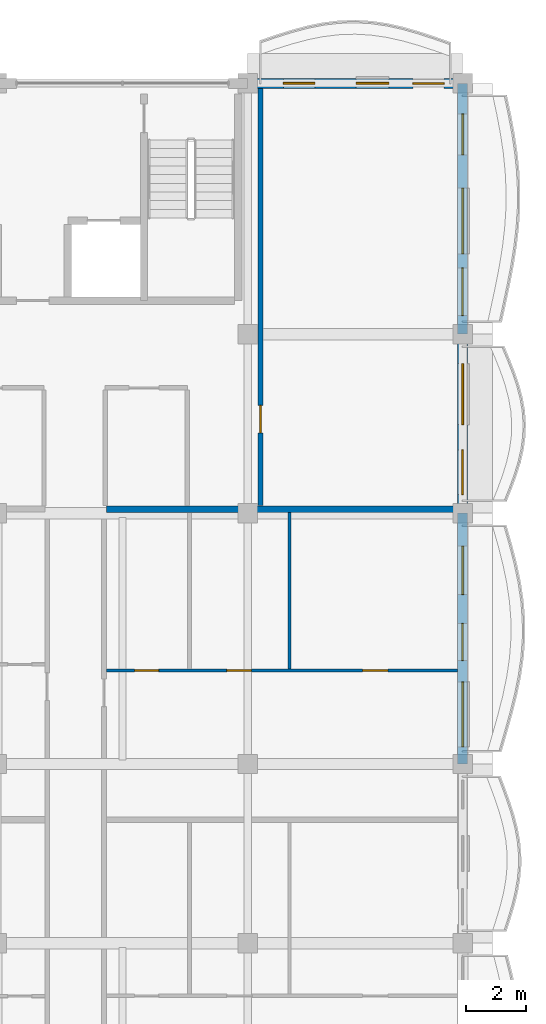
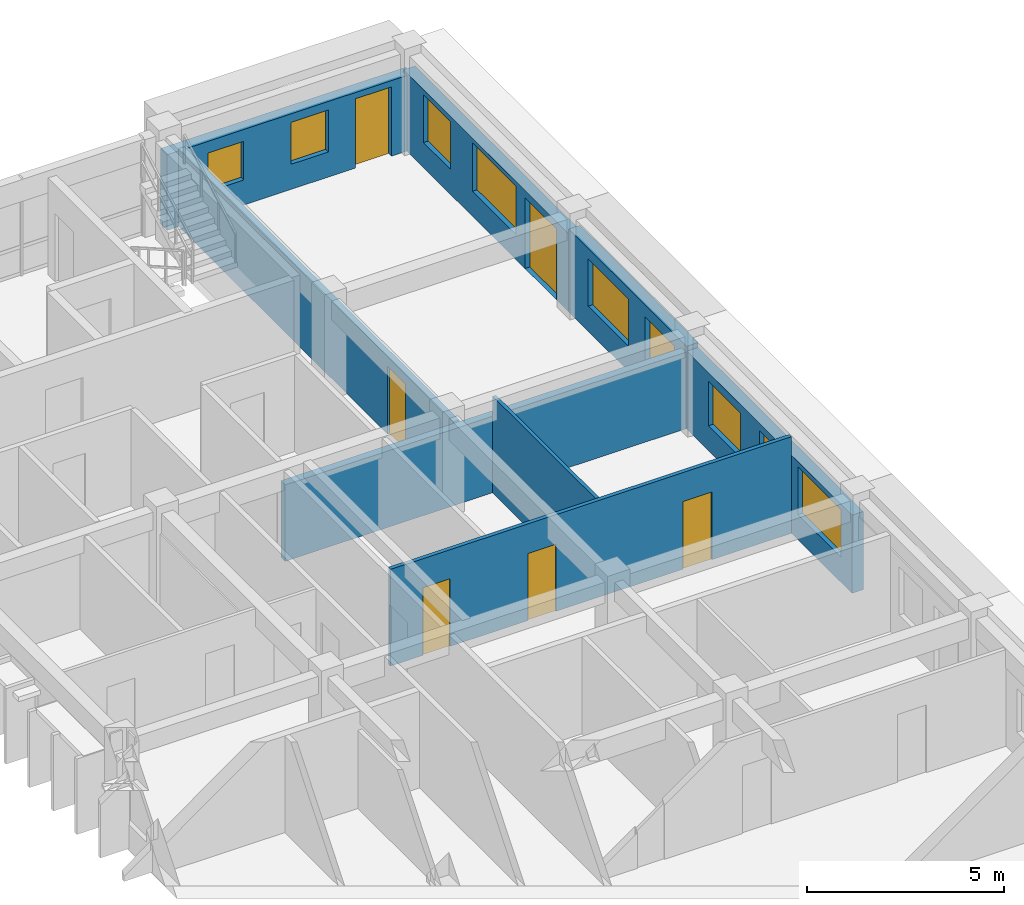
# One storey, part 39 of 70: 8 doors, 8 walls, 7 windows, 15 openings.
"""IFC4 building model written with IfcOpenShell, lengths in metres."""

from ifc_helpers import new_model, si_unit, direction, frame, frame_2d, origin, place, context, subcontext, project, spatial, rectangle, extrude, material, layer, layer_set, type_object, element, fill, save


model = new_model("IFC4")

# Units and contexts
model_context = context("Model", 3, precision=1e-05, world=origin(), true_north=direction((0.0, 1.0)))
body_context = subcontext(model_context, "Body", "Model", "MODEL_VIEW")
ifc_project = project(units=[si_unit("LENGTHUNIT", "METRE"), si_unit("AREAUNIT", "SQUARE_METRE"), si_unit("VOLUMEUNIT", "CUBIC_METRE"), si_unit("PLANEANGLEUNIT", "RADIAN"), si_unit("MASSUNIT", "GRAM", prefix="KILO"), si_unit("THERMODYNAMICTEMPERATUREUNIT", "KELVIN")], contexts=[model_context])

# Site, building, storey
site_placement = place(None, origin())
site = spatial("IfcSite", under=ifc_project, at=site_placement, CompositionType="ELEMENT")
building_placement = place(site_placement, origin())
building = spatial("IfcBuilding", under=site, at=building_placement, Name="Thalorik Housing Commons", CompositionType="ELEMENT")
storey_placement = place(building_placement, frame((0.0, 0.0, 14.699951171875)))
storey = spatial("IfcBuildingStorey", under=building, at=storey_placement, Name="L04", CompositionType="ELEMENT", Elevation=14.699951171875)

# Wall, opening, door
ifc_material_1 = material(Name="Masonry fire-rated corridor wall", Category="masonry")
ifc_layer_1 = layer(ifc_material_1, 0.1650390625, Name="Masonry fire-rated corridor wall", Category="masonry")
ifc_layer_set_1 = layer_set([ifc_layer_1], Name="Masonry fire-rated corridor wall")
wall_type_1 = type_object("IfcWallType", Name="ARC-WAL-CORR-165", PredefinedType="PARTITIONING", material=ifc_layer_set_1)
wall_1_placement = place(storey_placement, frame((167.219970703125, 109.451904296875, 0.0), z_axis=(0.0, 0.0, 1.0), x_axis=(0.0, 1.0, 0.0)))
wall_1 = element("IfcWall", 1, at=wall_1_placement, inside=storey, type_object=wall_type_1, Name="L04 Block B East Studio Wall", PredefinedType="PARTITIONING", context=body_context, shape_type="SweptSolid", body=[
    extrude(rectangle(XDim=13.978515625, YDim=0.1650390625, at=frame_2d((6.9892578125, 0.0))), origin(), (0.0, 0.0, 1.0), 2.425048828125),
])
opening_1_placement = place(wall_1_placement, frame((2.43798828125, 0.0, 0.0)))
opening_1 = element("IfcOpeningElement", 2, at=opening_1_placement, cuts=wall_1, Name="Opening ID-1147", PredefinedType="OPENING", context=body_context, shape_type="SweptSolid", body=[
    extrude(rectangle(XDim=0.919921875, YDim=2.10009765625, at=frame_2d((0.4599609375, 1.050048828125))), frame((0.0, 0.092529296875, 0.0), z_axis=(0.0, -1.0, 0.0), x_axis=(1.0, 0.0, 0.0)), (0.0, 0.0, 1.0), 0.18505859375),
])
ifc_material_2 = material(Name="Solid core hardwood timber", Category="wood")
door_type_1 = type_object("IfcDoorType", Name="ARC-DR-FD30-920", OperationType="NOTDEFINED", PredefinedType="DOOR", material=ifc_material_2)
door_1_placement = place(opening_1_placement, origin())
door_1 = element("IfcDoor", 3, at=door_1_placement, inside=storey, type_object=door_type_1, Name="L04 Block B East Room Door", OperationType="SINGLE_SWING_RIGHT", OverallHeight=2.10009765625, OverallWidth=0.919921875, PredefinedType="DOOR", context=body_context, shape_type="SweptSolid", body=[
    extrude(rectangle(XDim=0.919921875, YDim=2.10009765625, at=frame_2d((0.4599609375, 1.050048828125))), frame((0.0, 0.02490234375, 0.0), z_axis=(0.0, -1.0, 0.0), x_axis=(1.0, 0.0, 0.0)), (0.0, 0.0, 1.0), 0.050048828125),
])
fill(opening_1, door_1)

# Wall, openings, door, window
ifc_material_3 = material(Name="White precast concrete C40/50", Category="concrete")
ifc_layer_2 = layer(ifc_material_3, 0.3349609375, Name="White precast concrete C40/50", Category="concrete")
ifc_layer_set_2 = layer_set([ifc_layer_2], Name="White precast concrete C40/50")
wall_type_2 = type_object("IfcWallType", Name="ARC-WAL-EXT-335", PredefinedType="STANDARD", material=ifc_layer_set_2)
wall_2_placement = place(storey_placement, frame((174.0, 109.199951171875, 0.0), z_axis=(0.0, 0.0, 1.0), x_axis=(0.0, 1.0, 0.0)))
wall_2 = element("IfcWall", 4, at=wall_2_placement, inside=storey, type_object=wall_type_2, Name="L04 Exterior Wall WAL-EXT-L04-B-0521", PredefinedType="STANDARD", context=body_context, shape_type="SweptSolid", body=[
    extrude(rectangle(XDim=6.0, YDim=0.3349609375, at=frame_2d((3.0, 0.0))), origin(), (0.0, 0.0, 1.0), 2.574951171875),
])
opening_2_placement = place(wall_2_placement, frame((0.6201171875, 0.0, 0.0)))
opening_2 = element("IfcOpeningElement", 5, at=opening_2_placement, cuts=wall_2, Name="Opening ED-0157", PredefinedType="OPENING", context=body_context, shape_type="SweptSolid", body=[
    extrude(rectangle(XDim=1.5, YDim=2.199951171875, at=frame_2d((0.75, 1.10009765625))), frame((0.0, 0.177490234375, 0.0), z_axis=(0.0, -1.0, 0.0), x_axis=(1.0, 0.0, 0.0)), (0.0, 0.0, 1.0), 0.35498046875),
])
opening_3_placement = place(wall_2_placement, frame((2.969970703125, 0.0, 0.780029296875)))
opening_3 = element("IfcOpeningElement", 6, at=opening_3_placement, cuts=wall_2, Name="Opening W-62", PredefinedType="OPENING", context=body_context, shape_type="SweptSolid", body=[
    extrude(rectangle(XDim=2.0400390625, YDim=1.4599609375, at=frame_2d((1.02001953125, 0.72998046875))), frame((0.0, 0.177490234375, 0.0), z_axis=(0.0, -1.0, 0.0), x_axis=(1.0, 0.0, 0.0)), (0.0, 0.0, 1.0), 0.35498046875),
])
ifc_material_4 = material(Name="Anodised aluminium and laminated safety glass", Category="aluminium")
door_type_2 = type_object("IfcDoorType", Name="ARC-DR-BAL-1500", OperationType="NOTDEFINED", PredefinedType="DOOR", material=ifc_material_4)
door_2_placement = place(opening_2_placement, frame((1.5, 0.0, 0.0), z_axis=(0.0, 0.0, 1.0), x_axis=(-1.0, 0.0, 0.0)))
door_2 = element("IfcDoor", 7, at=door_2_placement, inside=storey, type_object=door_type_2, Name="L04 Block B Balcony Glazed Door", OperationType="SLIDING_TO_RIGHT", OverallHeight=2.199951171875, OverallWidth=1.5, PredefinedType="DOOR", context=body_context, shape_type="SweptSolid", body=[
    extrude(rectangle(XDim=1.5, YDim=2.199951171875, at=frame_2d((0.75, 1.10009765625))), frame((0.0, 0.02490234375, 0.0), z_axis=(0.0, -1.0, 0.0), x_axis=(1.0, 0.0, 0.0)), (0.0, 0.0, 1.0), 0.050048828125),
])
fill(opening_2, door_2)
ifc_material_5 = material(Name="Anodised aluminium and solar-control low-E glass", Category="aluminium")
window_type_1 = type_object("IfcWindowType", Name="ARC-WIN-62", PartitioningType="DOUBLE_PANEL_VERTICAL", PredefinedType="WINDOW", material=ifc_material_5)
window_1_placement = place(opening_3_placement, origin())
window_1 = element("IfcWindow", 8, at=window_1_placement, inside=storey, type_object=window_type_1, Name="L04 Facade Window 939", OverallHeight=1.4599609375, OverallWidth=2.0400390625, PartitioningType="DOUBLE_PANEL_VERTICAL", PredefinedType="WINDOW", context=body_context, shape_type="SweptSolid", body=[
    extrude(rectangle(XDim=2.0400390625, YDim=1.4599609375, at=frame_2d((1.02001953125, 0.72998046875))), frame((0.0, 0.030029296875, 0.0), z_axis=(0.0, -1.0, 0.0), x_axis=(1.0, 0.0, 0.0)), (0.0, 0.0, 1.0), 0.06005859375),
])
fill(opening_3, window_1)

# Wall, openings, door, windows
wall_3_placement = place(storey_placement, frame((174.0, 115.199951171875, 0.0), z_axis=(0.0, 0.0, 1.0), x_axis=(0.0, 1.0, 0.0)))
wall_3 = element("IfcWall", 9, at=wall_3_placement, inside=storey, type_object=wall_type_2, Name="L04 Exterior Wall WAL-EXT-L04-B-0522", PredefinedType="STANDARD", context=body_context, shape_type="SweptSolid", body=[
    extrude(rectangle(XDim=8.400146484375, YDim=0.3349609375, at=frame_2d((4.2001953125, 0.0))), origin(), (0.0, 0.0, 1.0), 2.425048828125),
])
opening_4_placement = place(wall_3_placement, frame((0.6201171875, 0.0, 0.0)))
opening_4 = element("IfcOpeningElement", 10, at=opening_4_placement, cuts=wall_3, Name="Opening ED-0158", PredefinedType="OPENING", context=body_context, shape_type="SweptSolid", body=[
    extrude(rectangle(XDim=1.60009765625, YDim=2.199951171875, at=frame_2d((0.800048828125, 1.10009765625))), frame((0.0, 0.177490234375, 0.0), z_axis=(0.0, -1.0, 0.0), x_axis=(1.0, 0.0, 0.0)), (0.0, 0.0, 1.0), 0.35498046875),
])
opening_5_placement = place(wall_3_placement, frame((2.68994140625, 0.0, 0.780029296875)))
opening_5 = element("IfcOpeningElement", 11, at=opening_5_placement, cuts=wall_3, Name="Opening W-29", PredefinedType="OPENING", context=body_context, shape_type="SweptSolid", body=[
    extrude(rectangle(XDim=2.199951171875, YDim=1.5, at=frame_2d((1.10009765625, 0.75))), frame((0.0, 0.177490234375, 0.0), z_axis=(0.0, -1.0, 0.0), x_axis=(1.0, 0.0, 0.0)), (0.0, 0.0, 1.0), 0.35498046875),
])
opening_6_placement = place(wall_3_placement, frame((6.0, 0.0, 0.780029296875)))
opening_6 = element("IfcOpeningElement", 12, at=opening_6_placement, cuts=wall_3, Name="Opening W-49", PredefinedType="OPENING", context=body_context, shape_type="SweptSolid", body=[
    extrude(rectangle(XDim=1.3798828125, YDim=1.47998046875, at=frame_2d((0.68994140625, 0.739990234375))), frame((0.0, 0.177490234375, 0.0), z_axis=(0.0, -1.0, 0.0), x_axis=(1.0, 0.0, 0.0)), (0.0, 0.0, 1.0), 0.35498046875),
])
door_type_3 = type_object("IfcDoorType", Name="ARC-DR-BAL-1600", OperationType="NOTDEFINED", PredefinedType="DOOR", material=ifc_material_4)
door_3_placement = place(opening_4_placement, frame((1.60009765625, 0.0, 0.0), z_axis=(0.0, 0.0, 1.0), x_axis=(-1.0, 0.0, 0.0)))
door_3 = element("IfcDoor", 13, at=door_3_placement, inside=storey, type_object=door_type_3, Name="L04 Block B Balcony Glazed Door", OperationType="SLIDING_TO_LEFT", OverallHeight=2.199951171875, OverallWidth=1.60009765625, PredefinedType="DOOR", context=body_context, shape_type="SweptSolid", body=[
    extrude(rectangle(XDim=1.60009765625, YDim=2.199951171875, at=frame_2d((0.800048828125, 1.10009765625))), frame((0.0, 0.02490234375, 0.0), z_axis=(0.0, -1.0, 0.0), x_axis=(1.0, 0.0, 0.0)), (0.0, 0.0, 1.0), 0.050048828125),
])
fill(opening_4, door_3)
window_type_2 = type_object("IfcWindowType", Name="ARC-WIN-29", PartitioningType="DOUBLE_PANEL_VERTICAL", PredefinedType="WINDOW", material=ifc_material_5)
window_2_placement = place(opening_5_placement, origin())
window_2 = element("IfcWindow", 14, at=window_2_placement, inside=storey, type_object=window_type_2, Name="L04 Facade Window 940", OverallHeight=1.5, OverallWidth=2.199951171875, PartitioningType="DOUBLE_PANEL_VERTICAL", PredefinedType="WINDOW", context=body_context, shape_type="SweptSolid", body=[
    extrude(rectangle(XDim=2.199951171875, YDim=1.5, at=frame_2d((1.10009765625, 0.75))), frame((0.0, 0.030029296875, 0.0), z_axis=(0.0, -1.0, 0.0), x_axis=(1.0, 0.0, 0.0)), (0.0, 0.0, 1.0), 0.06005859375),
])
fill(opening_5, window_2)
window_type_3 = type_object("IfcWindowType", Name="ARC-WIN-49", PartitioningType="SINGLE_PANEL", PredefinedType="WINDOW", material=ifc_material_5)
window_3_placement = place(opening_6_placement, origin())
window_3 = element("IfcWindow", 15, at=window_3_placement, inside=storey, type_object=window_type_3, Name="L04 Facade Window 941", OverallHeight=1.47998046875, OverallWidth=1.3798828125, PartitioningType="SINGLE_PANEL", PredefinedType="WINDOW", context=body_context, shape_type="SweptSolid", body=[
    extrude(rectangle(XDim=1.3798828125, YDim=1.47998046875, at=frame_2d((0.68994140625, 0.739990234375))), frame((0.0, 0.030029296875, 0.0), z_axis=(0.0, -1.0, 0.0), x_axis=(1.0, 0.0, 0.0)), (0.0, 0.0, 1.0), 0.06005859375),
])
fill(opening_6, window_3)

wall_4_placement = place(storey_placement, frame((174.0, 123.60009765625, 0.0), z_axis=(0.0, 0.0, 1.0), x_axis=(-1.0, 0.0, 0.0)))
wall_4 = element("IfcWall", 16, at=wall_4_placement, inside=storey, type_object=wall_type_2, Name="L04 Exterior Wall WAL-EXT-L04-B-0523", PredefinedType="STANDARD", context=body_context, shape_type="SweptSolid", body=[
    extrude(rectangle(XDim=7.199951171875, YDim=0.3349609375, at=frame_2d((3.60009765625, 0.0))), origin(), (0.0, 0.0, 1.0), 2.344970703125),
])
opening_7_placement = place(wall_4_placement, frame((0.6201171875, 0.0, 0.0)))
opening_7 = element("IfcOpeningElement", 17, at=opening_7_placement, cuts=wall_4, Name="Opening ED-0159", PredefinedType="OPENING", context=body_context, shape_type="SweptSolid", body=[
    extrude(rectangle(XDim=1.050048828125, YDim=2.14990234375, at=frame_2d((0.52490234375, 1.074951171875))), frame((0.0, 0.177490234375, 0.0), z_axis=(0.0, -1.0, 0.0), x_axis=(1.0, 0.0, 0.0)), (0.0, 0.0, 1.0), 0.35498046875),
])
opening_8_placement = place(wall_4_placement, frame((2.469970703125, 0.0, 0.780029296875)))
opening_8 = element("IfcOpeningElement", 18, at=opening_8_placement, cuts=wall_4, Name="Opening W-03", PredefinedType="OPENING", context=body_context, shape_type="SweptSolid", body=[
    extrude(rectangle(XDim=1.10009765625, YDim=1.300048828125, at=frame_2d((0.550048828125, 0.64990234375))), frame((0.0, 0.177490234375, 0.0), z_axis=(0.0, -1.0, 0.0), x_axis=(1.0, 0.0, 0.0)), (0.0, 0.0, 1.0), 0.35498046875),
])
opening_9_placement = place(wall_4_placement, frame((4.955078125, 0.0, 0.780029296875)))
opening_9 = element("IfcOpeningElement", 19, at=opening_9_placement, cuts=wall_4, Name="Opening W-44", PredefinedType="OPENING", context=body_context, shape_type="SweptSolid", body=[
    extrude(rectangle(XDim=1.050048828125, YDim=1.199951171875, at=frame_2d((0.52490234375, 0.60009765625))), frame((0.0, 0.177490234375, 0.0), z_axis=(0.0, -1.0, 0.0), x_axis=(1.0, 0.0, 0.0)), (0.0, 0.0, 1.0), 0.35498046875),
])
door_type_4 = type_object("IfcDoorType", Name="ARC-DR-BAL-1050", OperationType="NOTDEFINED", PredefinedType="DOOR", material=ifc_material_4)
door_4_placement = place(opening_7_placement, frame((1.050048828125, 0.0, 0.0), z_axis=(0.0, 0.0, 1.0), x_axis=(-1.0, 0.0, 0.0)))
door_4 = element("IfcDoor", 20, at=door_4_placement, inside=storey, type_object=door_type_4, Name="L04 Block B Balcony Glazed Door", OperationType="SINGLE_SWING_RIGHT", OverallHeight=2.14990234375, OverallWidth=1.050048828125, PredefinedType="DOOR", context=body_context, shape_type="SweptSolid", body=[
    extrude(rectangle(XDim=1.050048828125, YDim=2.14990234375, at=frame_2d((0.52490234375, 1.074951171875))), frame((0.0, 0.02490234375, 0.0), z_axis=(0.0, -1.0, 0.0), x_axis=(1.0, 0.0, 0.0)), (0.0, 0.0, 1.0), 0.050048828125),
])
fill(opening_7, door_4)
window_type_4 = type_object("IfcWindowType", Name="ARC-WIN-03", PartitioningType="SINGLE_PANEL", PredefinedType="WINDOW", material=ifc_material_5)
window_4_placement = place(opening_8_placement, origin())
window_4 = element("IfcWindow", 21, at=window_4_placement, inside=storey, type_object=window_type_4, Name="L04 Facade Window 942", OverallHeight=1.300048828125, OverallWidth=1.10009765625, PartitioningType="SINGLE_PANEL", PredefinedType="WINDOW", context=body_context, shape_type="SweptSolid", body=[
    extrude(rectangle(XDim=1.10009765625, YDim=1.300048828125, at=frame_2d((0.550048828125, 0.64990234375))), frame((0.0, 0.030029296875, 0.0), z_axis=(0.0, -1.0, 0.0), x_axis=(1.0, 0.0, 0.0)), (0.0, 0.0, 1.0), 0.06005859375),
])
fill(opening_8, window_4)
window_type_5 = type_object("IfcWindowType", Name="ARC-WIN-44", PartitioningType="SINGLE_PANEL", PredefinedType="WINDOW", material=ifc_material_5)
window_5_placement = place(opening_9_placement, origin())
window_5 = element("IfcWindow", 22, at=window_5_placement, inside=storey, type_object=window_type_5, Name="L04 Facade Window 943", OverallHeight=1.199951171875, OverallWidth=1.050048828125, PartitioningType="SINGLE_PANEL", PredefinedType="WINDOW", context=body_context, shape_type="SweptSolid", body=[
    extrude(rectangle(XDim=1.050048828125, YDim=1.199951171875, at=frame_2d((0.52490234375, 0.60009765625))), frame((0.0, 0.030029296875, 0.0), z_axis=(0.0, -1.0, 0.0), x_axis=(1.0, 0.0, 0.0)), (0.0, 0.0, 1.0), 0.06005859375),
])
fill(opening_9, window_5)

wall_5_placement = place(storey_placement, frame((174.0, 100.800048828125, 0.0), z_axis=(0.0, 0.0, 1.0), x_axis=(0.0, 1.0, 0.0)))
wall_5 = element("IfcWall", 23, at=wall_5_placement, inside=storey, type_object=wall_type_2, Name="L04 Exterior Wall WAL-EXT-L04-B-0558", PredefinedType="STANDARD", context=body_context, shape_type="SweptSolid", body=[
    extrude(rectangle(XDim=8.39990234375, YDim=0.3349609375, at=frame_2d((4.199951171875, 0.0))), origin(), (0.0, 0.0, 1.0), 2.425048828125),
])
opening_10_placement = place(wall_5_placement, frame((3.4619140625, 0.0, 0.0)))
opening_10 = element("IfcOpeningElement", 24, at=opening_10_placement, cuts=wall_5, Name="Opening ED-0173", PredefinedType="OPENING", context=body_context, shape_type="SweptSolid", body=[
    extrude(rectangle(XDim=1.25, YDim=2.199951171875, at=frame_2d((0.625, 1.10009765625))), frame((0.0, 0.177490234375, 0.0), z_axis=(0.0, -1.0, 0.0), x_axis=(1.0, 0.0, 0.0)), (0.0, 0.0, 1.0), 0.35498046875),
])
opening_11_placement = place(wall_5_placement, frame((0.571044921875, 0.0, 0.780029296875)))
opening_11 = element("IfcOpeningElement", 25, at=opening_11_placement, cuts=wall_5, Name="Opening W-65", PredefinedType="OPENING", context=body_context, shape_type="SweptSolid", body=[
    extrude(rectangle(XDim=2.179931640625, YDim=1.47998046875, at=frame_2d((1.08984375, 0.739990234375))), frame((0.0, 0.177490234375, 0.0), z_axis=(0.0, -1.0, 0.0), x_axis=(1.0, 0.0, 0.0)), (0.0, 0.0, 1.0), 0.35498046875),
])
opening_12_placement = place(wall_5_placement, frame((5.676025390625, 0.0, 0.780029296875)))
opening_12 = element("IfcOpeningElement", 26, at=opening_12_placement, cuts=wall_5, Name="Opening W-54", PredefinedType="OPENING", context=body_context, shape_type="SweptSolid", body=[
    extrude(rectangle(XDim=1.6201171875, YDim=1.3798828125, at=frame_2d((0.81005859375, 0.68994140625))), frame((0.0, 0.177490234375, 0.0), z_axis=(0.0, -1.0, 0.0), x_axis=(1.0, 0.0, 0.0)), (0.0, 0.0, 1.0), 0.35498046875),
])
door_type_5 = type_object("IfcDoorType", Name="ARC-DR-BAL-1250", OperationType="NOTDEFINED", PredefinedType="DOOR", material=ifc_material_4)
door_5_placement = place(opening_10_placement, frame((1.25, 0.0, 0.0), z_axis=(0.0, 0.0, 1.0), x_axis=(-1.0, 0.0, 0.0)))
door_5 = element("IfcDoor", 27, at=door_5_placement, inside=storey, type_object=door_type_5, Name="L04 Block B Balcony Glazed Door", OperationType="SINGLE_SWING_RIGHT", OverallHeight=2.199951171875, OverallWidth=1.25, PredefinedType="DOOR", context=body_context, shape_type="SweptSolid", body=[
    extrude(rectangle(XDim=1.25, YDim=2.199951171875, at=frame_2d((0.625, 1.10009765625))), frame((0.0, 0.02490234375, 0.0), z_axis=(0.0, -1.0, 0.0), x_axis=(1.0, 0.0, 0.0)), (0.0, 0.0, 1.0), 0.050048828125),
])
fill(opening_10, door_5)
window_type_6 = type_object("IfcWindowType", Name="ARC-WIN-54", PartitioningType="DOUBLE_PANEL_VERTICAL", PredefinedType="WINDOW", material=ifc_material_5)
window_6_placement = place(opening_12_placement, origin())
window_6 = element("IfcWindow", 28, at=window_6_placement, inside=storey, type_object=window_type_6, Name="L04 Facade Window 1016", OverallHeight=1.3798828125, OverallWidth=1.6201171875, PartitioningType="DOUBLE_PANEL_VERTICAL", PredefinedType="WINDOW", context=body_context, shape_type="SweptSolid", body=[
    extrude(rectangle(XDim=1.6201171875, YDim=1.3798828125, at=frame_2d((0.81005859375, 0.68994140625))), frame((0.0, 0.030029296875, 0.0), z_axis=(0.0, -1.0, 0.0), x_axis=(1.0, 0.0, 0.0)), (0.0, 0.0, 1.0), 0.06005859375),
])
fill(opening_12, window_6)
window_type_7 = type_object("IfcWindowType", Name="ARC-WIN-65", PartitioningType="DOUBLE_PANEL_VERTICAL", PredefinedType="WINDOW", material=ifc_material_5)
window_7_placement = place(opening_11_placement, origin())
window_7 = element("IfcWindow", 29, at=window_7_placement, inside=storey, type_object=window_type_7, Name="L04 Facade Window 1015", OverallHeight=1.47998046875, OverallWidth=2.179931640625, PartitioningType="DOUBLE_PANEL_VERTICAL", PredefinedType="WINDOW", context=body_context, shape_type="SweptSolid", body=[
    extrude(rectangle(XDim=2.179931640625, YDim=1.47998046875, at=frame_2d((1.08984375, 0.739990234375))), frame((0.0, 0.030029296875, 0.0), z_axis=(0.0, -1.0, 0.0), x_axis=(1.0, 0.0, 0.0)), (0.0, 0.0, 1.0), 0.06005859375),
])
fill(opening_11, window_7)

# Wall
ifc_material_6 = material(Name="Gypsum light stud partition", Category="masonry")
ifc_layer_3 = layer(ifc_material_6, 0.10009765625, Name="Gypsum light stud partition", Category="masonry")
ifc_layer_set_3 = layer_set([ifc_layer_3], Name="Gypsum light stud partition")
wall_type_3 = type_object("IfcWallType", Name="ARC-WAL-PART-100", PredefinedType="PARTITIONING", material=ifc_layer_set_3)
wall_6_placement = place(storey_placement, frame((168.19921875, 103.991455078125, 0.0), z_axis=(0.0, 0.0, 1.0), x_axis=(0.0, 1.0, 0.0)))
element("IfcWall", 30, at=wall_6_placement, inside=storey, type_object=wall_type_3, Name="L04 Unit 3B Bedroom Partition", PredefinedType="PARTITIONING", context=body_context, shape_type="SweptSolid", body=[
    extrude(rectangle(XDim=5.236572265625, YDim=0.10009765625, at=frame_2d((2.6181640625, 0.0))), origin(), (0.0, 0.0, 1.0), 3.0),
])

# Wall, openings, doors
ifc_material_7 = material(Name="Gypsum moisture-resistant partition", Category="masonry")
ifc_layer_4 = layer(ifc_material_7, 0.114990234375, Name="Gypsum moisture-resistant partition", Category="masonry")
ifc_layer_set_4 = layer_set([ifc_layer_4], Name="Gypsum moisture-resistant partition")
wall_type_4 = type_object("IfcWallType", Name="ARC-WAL-PART-115", PredefinedType="PARTITIONING", material=ifc_layer_set_4)
wall_7_placement = place(storey_placement, frame((162.064453125, 103.931884765625, 0.0), z_axis=(0.0, 0.0, 1.0), x_axis=(1.0, 0.0, 0.0)))
wall_7 = element("IfcWall", 31, at=wall_7_placement, inside=storey, type_object=wall_type_4, Name="L04 Unit 3B Spine Partition", PredefinedType="PARTITIONING", context=body_context, shape_type="SweptSolid", body=[
    extrude(rectangle(XDim=11.76611328125, YDim=0.114990234375, at=frame_2d((5.883056640625, 0.0))), origin(), (0.0, 0.0, 1.0), 3.0),
])
opening_13_placement = place(wall_7_placement, frame((0.95068359375, 0.0, 0.0)))
opening_13 = element("IfcOpeningElement", 32, at=opening_13_placement, cuts=wall_7, Name="Opening ID-1163", PredefinedType="OPENING", context=body_context, shape_type="SweptSolid", body=[
    extrude(rectangle(XDim=0.800048828125, YDim=2.10009765625, at=frame_2d((0.39990234375, 1.050048828125))), frame((0.0, 0.0673828125, 0.0), z_axis=(0.0, -1.0, 0.0), x_axis=(1.0, 0.0, 0.0)), (0.0, 0.0, 1.0), 0.135009765625),
])
opening_14_placement = place(wall_7_placement, frame((4.035400390625, 0.0, 0.0)))
opening_14 = element("IfcOpeningElement", 33, at=opening_14_placement, cuts=wall_7, Name="Opening ID-1164", PredefinedType="OPENING", context=body_context, shape_type="SweptSolid", body=[
    extrude(rectangle(XDim=0.820068359375, YDim=2.080078125, at=frame_2d((0.41015625, 1.0400390625))), frame((0.0, 0.0673828125, 0.0), z_axis=(0.0, -1.0, 0.0), x_axis=(1.0, 0.0, 0.0)), (0.0, 0.0, 1.0), 0.135009765625),
])
opening_15_placement = place(wall_7_placement, frame((8.580078125, 0.0, 0.0)))
opening_15 = element("IfcOpeningElement", 34, at=opening_15_placement, cuts=wall_7, Name="Opening ID-1165", PredefinedType="OPENING", context=body_context, shape_type="SweptSolid", body=[
    extrude(rectangle(XDim=0.85009765625, YDim=2.10009765625, at=frame_2d((0.425048828125, 1.050048828125))), frame((0.0, 0.0673828125, 0.0), z_axis=(0.0, -1.0, 0.0), x_axis=(1.0, 0.0, 0.0)), (0.0, 0.0, 1.0), 0.135009765625),
])
ifc_material_8 = material(Name="Moisture-resistant timber", Category="wood")
door_type_6 = type_object("IfcDoorType", Name="ARC-DR-INT-800", OperationType="NOTDEFINED", PredefinedType="DOOR", material=ifc_material_8)
door_6_placement = place(opening_13_placement, origin())
door_6 = element("IfcDoor", 35, at=door_6_placement, inside=storey, type_object=door_type_6, Name="L04 Accessible Bathroom Door", OperationType="SINGLE_SWING_RIGHT", OverallHeight=2.10009765625, OverallWidth=0.800048828125, PredefinedType="DOOR", context=body_context, shape_type="SweptSolid", body=[
    extrude(rectangle(XDim=0.800048828125, YDim=2.10009765625, at=frame_2d((0.39990234375, 1.050048828125))), frame((0.0, 0.02490234375, 0.0), z_axis=(0.0, -1.0, 0.0), x_axis=(1.0, 0.0, 0.0)), (0.0, 0.0, 1.0), 0.050048828125),
])
fill(opening_13, door_6)
ifc_material_9 = material(Name="Engineered oak timber", Category="wood")
door_type_7 = type_object("IfcDoorType", Name="ARC-DR-INT-820", OperationType="NOTDEFINED", PredefinedType="DOOR", material=ifc_material_9)
door_7_placement = place(opening_14_placement, origin())
door_7 = element("IfcDoor", 36, at=door_7_placement, inside=storey, type_object=door_type_7, Name="L04 Eat-In Kitchen Door", OperationType="SINGLE_SWING_LEFT", OverallHeight=2.080078125, OverallWidth=0.820068359375, PredefinedType="DOOR", context=body_context, shape_type="SweptSolid", body=[
    extrude(rectangle(XDim=0.820068359375, YDim=2.080078125, at=frame_2d((0.41015625, 1.0400390625))), frame((0.0, 0.02490234375, 0.0), z_axis=(0.0, -1.0, 0.0), x_axis=(1.0, 0.0, 0.0)), (0.0, 0.0, 1.0), 0.050048828125),
])
fill(opening_14, door_7)
door_type_8 = type_object("IfcDoorType", Name="ARC-DR-INT-850", OperationType="NOTDEFINED", PredefinedType="DOOR", material=ifc_material_9)
door_8_placement = place(opening_15_placement, origin())
door_8 = element("IfcDoor", 37, at=door_8_placement, inside=storey, type_object=door_type_8, Name="L04 Double Bedroom Door", OperationType="SINGLE_SWING_RIGHT", OverallHeight=2.10009765625, OverallWidth=0.85009765625, PredefinedType="DOOR", context=body_context, shape_type="SweptSolid", body=[
    extrude(rectangle(XDim=0.85009765625, YDim=2.10009765625, at=frame_2d((0.425048828125, 1.050048828125))), frame((0.0, 0.02490234375, 0.0), z_axis=(0.0, -1.0, 0.0), x_axis=(1.0, 0.0, 0.0)), (0.0, 0.0, 1.0), 0.050048828125),
])
fill(opening_15, door_8)

# Wall
ifc_material_10 = material(Name="Precast concrete C40/50 acoustic wall", Category="concrete")
ifc_layer_5 = layer(ifc_material_10, 0.219970703125, Name="Precast concrete C40/50 acoustic wall", Category="concrete")
ifc_layer_set_5 = layer_set([ifc_layer_5], Name="Precast concrete C40/50 acoustic wall")
wall_type_5 = type_object("IfcWallType", Name="ARC-WAL-PARTY-220", PredefinedType="PARTITIONING", material=ifc_layer_set_5)
wall_8_placement = place(storey_placement, frame((162.064453125, 109.340087890625, 0.0), z_axis=(0.0, 0.0, 1.0), x_axis=(1.0, 0.0, 0.0)))
element("IfcWall", 38, at=wall_8_placement, inside=storey, type_object=wall_type_5, Name="L04 Core End Wall B", PredefinedType="PARTITIONING", context=body_context, shape_type="SweptSolid", body=[
    extrude(rectangle(XDim=11.76611328125, YDim=0.219970703125, at=frame_2d((5.883056640625, 0.0))), origin(), (0.0, 0.0, 1.0), 2.375),
])

save(model, "model.ifc")
